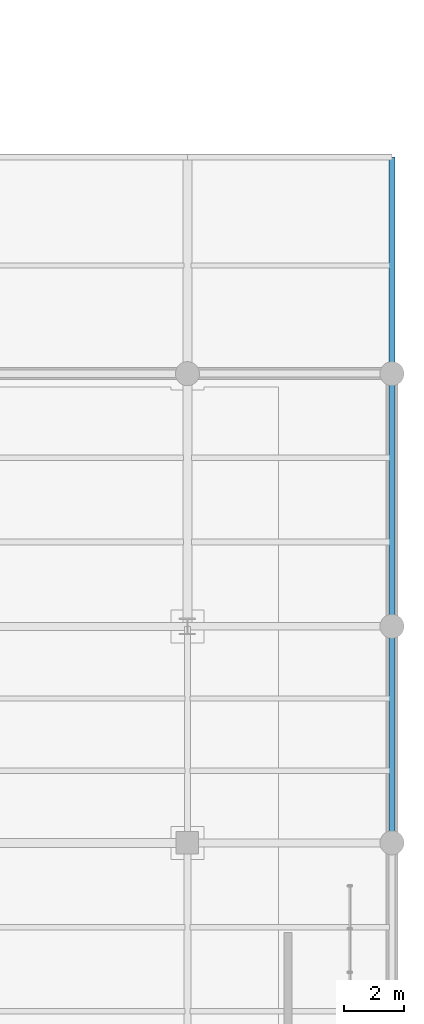
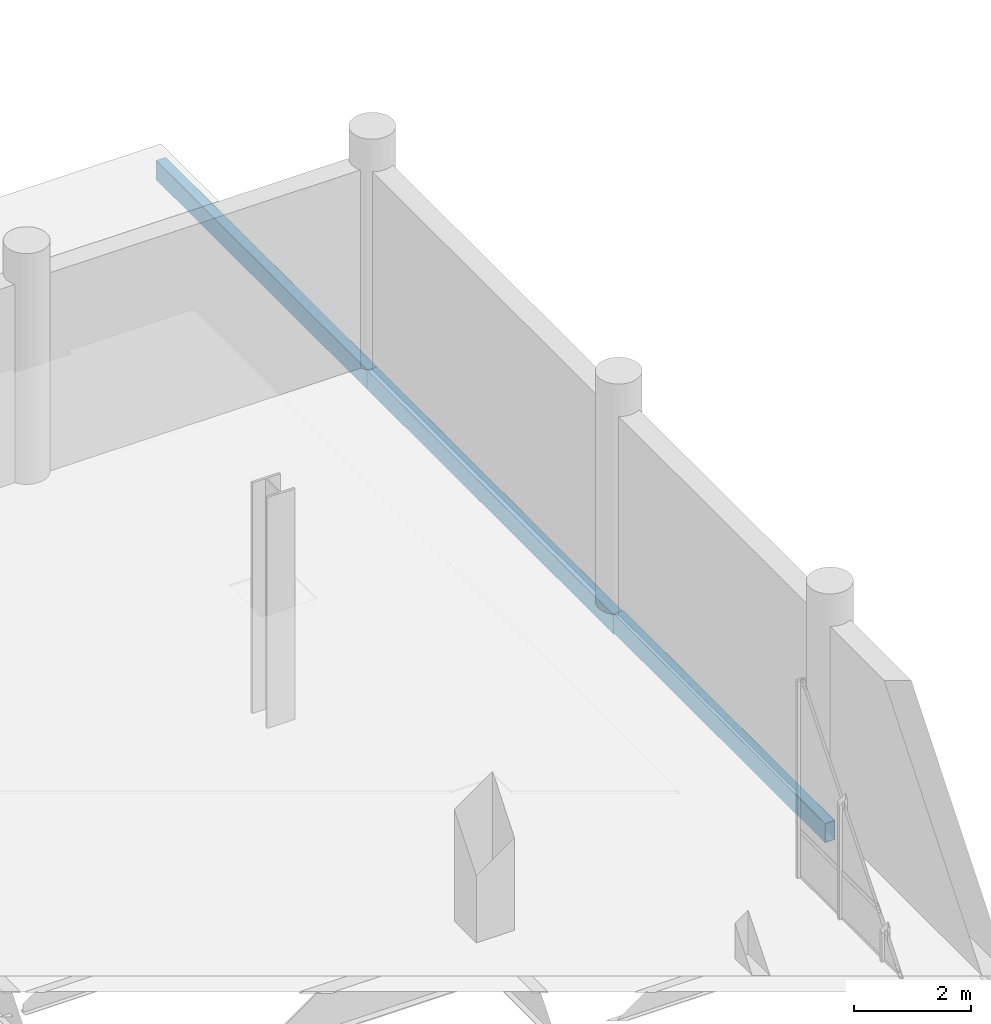
# One storey, part 67 of 109: 3 beams.
"""IFC4 building model written with IfcOpenShell, lengths in metres."""

from ifc_helpers import new_model, si_unit, direction, frame, origin_with_axes, origin_2d_with_axis, place, context, subcontext, project, spatial, hollow_rectangle, extrude, material, material_profile, profile_set, type_object, element, save


model = new_model("IFC4")

# Units and contexts
model_context = context("Model", 3, precision=1e-05, world=origin_with_axes(), true_north=direction((0.0, 1.0)))
body_context = subcontext(model_context, "Body", "Model", "MODEL_VIEW")
ifc_project = project(units=[si_unit("LENGTHUNIT", "METRE"), si_unit("AREAUNIT", "SQUARE_METRE"), si_unit("VOLUMEUNIT", "CUBIC_METRE"), si_unit("PLANEANGLEUNIT", "RADIAN"), si_unit("MASSUNIT", "GRAM", prefix="KILO"), si_unit("THERMODYNAMICTEMPERATUREUNIT", "KELVIN")], contexts=[model_context])

# Site, building, storey
site_placement = place(None, origin_with_axes())
site = spatial("IfcSite", under=ifc_project, at=site_placement, CompositionType="ELEMENT")
building_placement = place(site_placement, origin_with_axes())
building = spatial("IfcBuilding", under=site, at=building_placement, Name="Montbau Bow Law Courts", CompositionType="ELEMENT")
storey_placement = place(building_placement, frame((0.0, 0.0, 10.8), z_axis=(0.0, 0.0, 1.0), x_axis=(1.0, 0.0, 0.0)))
storey = spatial("IfcBuildingStorey", under=building, at=storey_placement, Name="L02", CompositionType="ELEMENT", Elevation=10.8)

# Beams
ifc_material = material(Name="Steel CSA G40.21 Grade 350WT (350 MPa)", Category="steel")
ifc_material_profile = material_profile(ifc_material, hollow_rectangle(XDim=0.203, YDim=0.406, WallThickness=0.0127, InnerFilletRadius=0.0254, OuterFilletRadius=0.0127, at=origin_2d_with_axis()), Name="HSS406X203X13", Category="Main", Priority=0)
ifc_profile_set = profile_set([ifc_material_profile], Name="Steel CSA G40.21 Grade 350WT (350 MPa)")
beam_type = type_object("IfcBeamType", Name="B-SPN-01", PredefinedType="SPANDREL", material=ifc_profile_set)
beam_1_placement = place(None, frame((169.4, 39.0, 10.377), z_axis=(0.0, 1.0, 0.0), x_axis=(-1.0, 0.0, 0.0)))
element("IfcBeam", 1, at=beam_1_placement, inside=storey, type_object=beam_type, Name="SPN-L02-S1622:bm2_1625", PredefinedType="SPANDREL", context=body_context, shape_type="SweptSolid", body=[
    extrude(hollow_rectangle(XDim=0.203, YDim=0.406, WallThickness=0.0127, InnerFilletRadius=0.0254, OuterFilletRadius=0.0127, at=origin_2d_with_axis()), origin_with_axes(), (0.0, 0.0, 1.0), 7.2),
])
beam_2_placement = place(None, frame((169.4, 46.2, 10.347), z_axis=(0.0, 1.0, 0.0), x_axis=(-1.0, 0.0, 0.0)))
element("IfcBeam", 2, at=beam_2_placement, inside=storey, type_object=beam_type, Name="SPN-L02-S1623:bm2_1626", PredefinedType="SPANDREL", context=body_context, shape_type="SweptSolid", body=[
    extrude(hollow_rectangle(XDim=0.203, YDim=0.406, WallThickness=0.0127, InnerFilletRadius=0.0254, OuterFilletRadius=0.0127, at=origin_2d_with_axis()), origin_with_axes(), (0.0, 0.0, 1.0), 8.4),
])
beam_3_placement = place(None, frame((169.4, 54.6, 10.347), z_axis=(0.0, 1.0, 0.0), x_axis=(-1.0, 0.0, 0.0)))
element("IfcBeam", 3, at=beam_3_placement, inside=storey, type_object=beam_type, Name="SPN-L02-S1624:bm2_1627", PredefinedType="SPANDREL", context=body_context, shape_type="SweptSolid", body=[
    extrude(hollow_rectangle(XDim=0.203, YDim=0.406, WallThickness=0.0127, InnerFilletRadius=0.0254, OuterFilletRadius=0.0127, at=origin_2d_with_axis()), origin_with_axes(), (0.0, 0.0, 1.0), 7.2),
])

save(model, "model.ifc")
